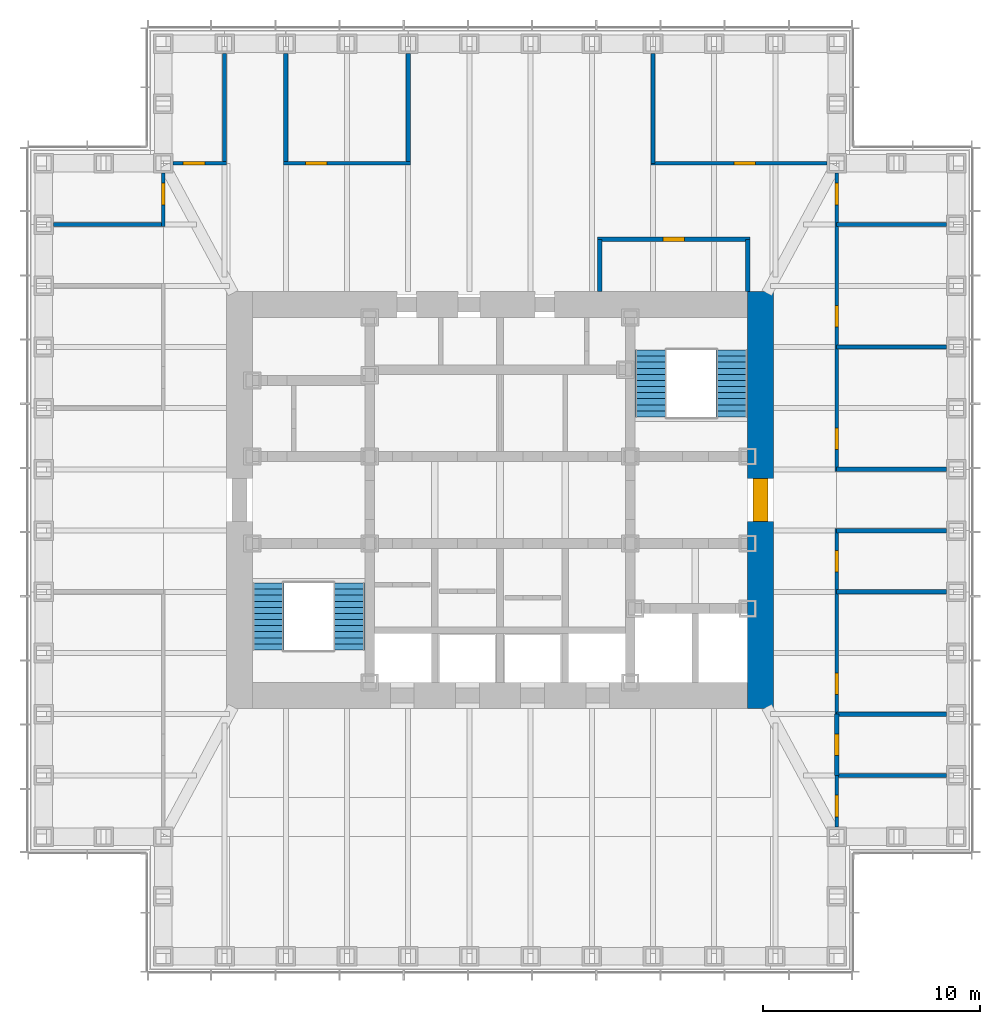
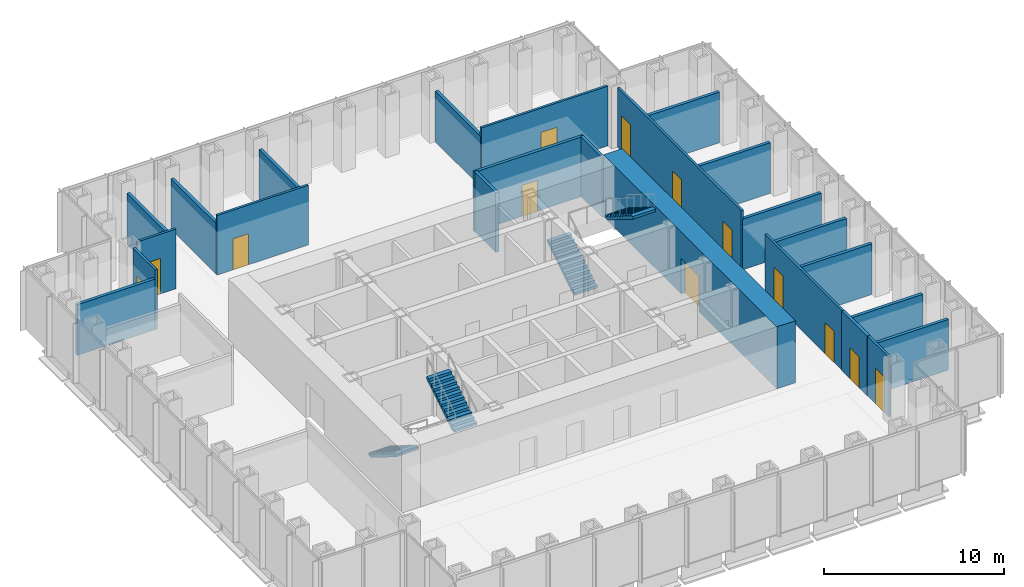
# One storey, part 10 of 16: 24 walls, 13 doors, 4 stair flights, 13 openings, 2 elements without a shape of their own.
"""IFC4 building model written with IfcOpenShell, lengths in metres."""

from ifc_helpers import new_model, si_unit, direction, frame, frame_2d, origin, place, context, subcontext, project, spatial, polyline, rectangle, outline, extrude, material, layer, layer_set, type_object, element, fill, aggregate, save


model = new_model("IFC4")

# Units and contexts
model_context = context("Model", 3, precision=1e-05, world=origin(), true_north=direction((0.0, 1.0)))
body_context = subcontext(model_context, "Body", "Model", "MODEL_VIEW")
ifc_project = project(units=[si_unit("LENGTHUNIT", "METRE"), si_unit("AREAUNIT", "SQUARE_METRE"), si_unit("VOLUMEUNIT", "CUBIC_METRE"), si_unit("PLANEANGLEUNIT", "RADIAN"), si_unit("MASSUNIT", "GRAM", prefix="KILO")], contexts=[model_context])

# Site, building, storey
site_placement = place(None, origin())
site = spatial("IfcSite", under=ifc_project, at=site_placement, CompositionType="ELEMENT")
building_placement = place(site_placement, origin())
building = spatial("IfcBuilding", under=site, at=building_placement, Name="Daluyong Arena Tower", CompositionType="ELEMENT")
storey_placement = place(building_placement, frame((0.0, 0.0, 206.5)))
storey = spatial("IfcBuildingStorey", under=building, at=storey_placement, Name="L46", CompositionType="ELEMENT", Elevation=206.5)

# Wall, opening, door
ifc_material_1 = material(Name="Concrete fc' 60 MPa", Category="concrete")
ifc_layer_1 = layer(ifc_material_1, 1.199951171875)
ifc_layer_set_1 = layer_set([ifc_layer_1], Name="Concrete fc' 60 MPa")
wall_type_1 = type_object("IfcWallType", Name="Core wall 1200", PredefinedType="SHEAR", material=ifc_layer_set_1)
wall_1_placement = place(storey_placement, frame((68.0, 70.39990234375, 0.0), z_axis=(0.0, 0.0, 1.0), x_axis=(0.0, 1.0, 0.0)))
wall_1 = element("IfcWall", 1, at=wall_1_placement, inside=storey, type_object=wall_type_1, Name="core wall at L46", PredefinedType="SHEAR", context=body_context, shape_type="SweptSolid", body=[
    extrude(rectangle(XDim=19.2001953125, YDim=1.199951171875, at=frame_2d((9.60009765625, 0.0))), origin(), (0.0, 0.0, 1.0), 4.199951171875),
])
opening_1_placement = place(wall_1_placement, frame((8.60009765625, 0.0, 0.0)))
opening_1 = element("IfcOpeningElement", 2, at=opening_1_placement, cuts=wall_1, Name="Opening 46022", PredefinedType="OPENING", context=body_context, shape_type="SweptSolid", body=[
    extrude(rectangle(XDim=2.0, YDim=2.39990234375, at=frame_2d((1.0, 1.199951171875))), frame((0.0, 0.60986328125, 0.0), z_axis=(0.0, -1.0, 0.0), x_axis=(1.0, 0.0, 0.0)), (0.0, 0.0, 1.0), 1.219970703125),
])
ifc_material_2 = material(Name="Steel door, fire rated", Category="steel")
door_type_1 = type_object("IfcDoorType", Name="Core lobby double door 2000", OperationType="DOUBLE_DOOR_SINGLE_SWING", PredefinedType="DOOR", material=ifc_material_2)
door_1_placement = place(opening_1_placement, origin())
door_1 = element("IfcDoor", 3, at=door_1_placement, inside=storey, type_object=door_type_1, Name="core lobby door east 46022", OperationType="DOUBLE_DOOR_SINGLE_SWING", OverallHeight=2.39990234375, OverallWidth=2.0, PredefinedType="DOOR", context=body_context, shape_type="SweptSolid", body=[
    extrude(rectangle(XDim=2.0, YDim=2.39990234375, at=frame_2d((1.0, 1.199951171875))), frame((0.0, 0.35009765625, 0.0), z_axis=(0.0, -1.0, 0.0), x_axis=(1.0, 0.0, 0.0)), (0.0, 0.0, 1.0), 0.699951171875),
])
fill(opening_1, door_1)

ifc_material_3 = material(Name="Glazed aluminium partition", Category="aluminium")
ifc_layer_2 = layer(ifc_material_3, 0.14990234375)
ifc_layer_set_2 = layer_set([ifc_layer_2], Name="Glazed aluminium partition")
wall_type_2 = type_object("IfcWallType", Name="Glazed partition 150", PredefinedType="PARTITIONING", material=ifc_layer_set_2)
wall_2_placement = place(storey_placement, frame((40.949951171875, 95.5, 0.0), z_axis=(0.0, 0.0, 1.0), x_axis=(1.0, 0.0, 0.0)))
wall_2 = element("IfcWall", 4, at=wall_2_placement, inside=storey, type_object=wall_type_2, Name="glazed partition at L46", PredefinedType="PARTITIONING", context=body_context, shape_type="SweptSolid", body=[
    extrude(rectangle(XDim=2.46826171875, YDim=0.14990234375, at=frame_2d((1.234130859375, 0.0))), origin(), (0.0, 0.0, 1.0), 4.0400390625),
])
opening_2_placement = place(wall_2_placement, frame((0.458984375, 0.0, 0.0)))
opening_2 = element("IfcOpeningElement", 5, at=opening_2_placement, cuts=wall_2, Name="Opening 46039", PredefinedType="OPENING", context=body_context, shape_type="SweptSolid", body=[
    extrude(rectangle(XDim=1.0, YDim=2.39990234375, at=frame_2d((0.5, 1.199951171875))), frame((0.0, 0.0849609375, 0.0), z_axis=(0.0, -1.0, 0.0), x_axis=(1.0, 0.0, 0.0)), (0.0, 0.0, 1.0), 0.169921875),
])
ifc_material_4 = material(Name="Glazed aluminium door", Category="aluminium")
door_type_2 = type_object("IfcDoorType", Name="Meeting room glazed door 1000", OperationType="SINGLE_SWING_RIGHT", PredefinedType="DOOR", material=ifc_material_4)
door_2_placement = place(opening_2_placement, origin())
door_2 = element("IfcDoor", 6, at=door_2_placement, inside=storey, type_object=door_type_2, Name="focus room door 46039", OperationType="SINGLE_SWING_RIGHT", OverallHeight=2.39990234375, OverallWidth=1.0, PredefinedType="DOOR", context=body_context, shape_type="SweptSolid", body=[
    extrude(rectangle(XDim=1.0, YDim=2.39990234375, at=frame_2d((0.5, 1.199951171875))), frame((0.0, 0.07470703125, 0.0), z_axis=(0.0, -1.0, 0.0), x_axis=(1.0, 0.0, 0.0)), (0.0, 0.0, 1.0), 0.1494140625),
])
fill(opening_2, door_2)

wall_3_placement = place(storey_placement, frame((46.036376953125, 95.5, 0.0), z_axis=(0.0, 0.0, 1.0), x_axis=(1.0, 0.0, 0.0)))
wall_3 = element("IfcWall", 7, at=wall_3_placement, inside=storey, type_object=wall_type_2, Name="glazed partition at L46", PredefinedType="PARTITIONING", context=body_context, shape_type="SweptSolid", body=[
    extrude(rectangle(XDim=5.83642578125, YDim=0.14990234375, at=frame_2d((2.918212890625, 0.0))), origin(), (0.0, 0.0, 1.0), 4.0400390625),
])
opening_3_placement = place(wall_3_placement, frame((1.009033203125, 0.0, 0.0)))
opening_3 = element("IfcOpeningElement", 8, at=opening_3_placement, cuts=wall_3, Name="Opening 46040", PredefinedType="OPENING", context=body_context, shape_type="SweptSolid", body=[
    extrude(rectangle(XDim=1.0, YDim=2.10009765625, at=frame_2d((0.5, 1.050048828125))), frame((0.0, 0.0849609375, 0.0), z_axis=(0.0, -1.0, 0.0), x_axis=(1.0, 0.0, 0.0)), (0.0, 0.0, 1.0), 0.169921875),
])
ifc_material_5 = material(Name="Timber door", Category="wood")
door_type_3 = type_object("IfcDoorType", Name="Room door 1000", OperationType="SINGLE_SWING_LEFT", PredefinedType="DOOR", material=ifc_material_5)
door_3_placement = place(opening_3_placement, origin())
door_3 = element("IfcDoor", 9, at=door_3_placement, inside=storey, type_object=door_type_3, Name="executive office door 46040", OperationType="SINGLE_SWING_LEFT", OverallHeight=2.10009765625, OverallWidth=1.0, PredefinedType="DOOR", context=body_context, shape_type="SweptSolid", body=[
    extrude(rectangle(XDim=1.0, YDim=2.10009765625, at=frame_2d((0.5, 1.050048828125))), frame((0.0, 0.07470703125, 0.0), z_axis=(0.0, -1.0, 0.0), x_axis=(1.0, 0.0, 0.0)), (0.0, 0.0, 1.0), 0.1494140625),
])
fill(opening_3, door_3)

wall_4_placement = place(storey_placement, frame((62.945556640625, 95.5, 0.0), z_axis=(0.0, 0.0, 1.0), x_axis=(1.0, 0.0, 0.0)))
wall_4 = element("IfcWall", 10, at=wall_4_placement, inside=storey, type_object=wall_type_2, Name="glazed partition at L46", PredefinedType="PARTITIONING", context=body_context, shape_type="SweptSolid", body=[
    extrude(rectangle(XDim=8.1044921875, YDim=0.14990234375, at=frame_2d((4.05224609375, 0.0))), origin(), (0.0, 0.0, 1.0), 4.0400390625),
])
opening_4_placement = place(wall_4_placement, frame((3.827392578125, 0.0, 0.0)))
opening_4 = element("IfcOpeningElement", 11, at=opening_4_placement, cuts=wall_4, Name="Opening 46041", PredefinedType="OPENING", context=body_context, shape_type="SweptSolid", body=[
    extrude(rectangle(XDim=1.0, YDim=2.39990234375, at=frame_2d((0.5, 1.199951171875))), frame((0.0, 0.0849609375, 0.0), z_axis=(0.0, -1.0, 0.0), x_axis=(1.0, 0.0, 0.0)), (0.0, 0.0, 1.0), 0.169921875),
])
door_4_placement = place(opening_4_placement, origin())
door_4 = element("IfcDoor", 12, at=door_4_placement, inside=storey, type_object=door_type_2, Name="meeting room door 46041", OperationType="SINGLE_SWING_RIGHT", OverallHeight=2.39990234375, OverallWidth=1.0, PredefinedType="DOOR", context=body_context, shape_type="SweptSolid", body=[
    extrude(rectangle(XDim=1.0, YDim=2.39990234375, at=frame_2d((0.5, 1.199951171875))), frame((0.0, 0.07470703125, 0.0), z_axis=(0.0, -1.0, 0.0), x_axis=(1.0, 0.0, 0.0)), (0.0, 0.0, 1.0), 0.1494140625),
])
fill(opening_4, door_4)

wall_5_placement = place(storey_placement, frame((40.5, 92.581787109375, 0.0), z_axis=(0.0, 0.0, 1.0), x_axis=(0.0, 1.0, 0.0)))
wall_5 = element("IfcWall", 13, at=wall_5_placement, inside=storey, type_object=wall_type_2, Name="glazed partition at L46", PredefinedType="PARTITIONING", context=body_context, shape_type="SweptSolid", body=[
    extrude(rectangle(XDim=2.46826171875, YDim=0.14990234375, at=frame_2d((1.234130859375, 0.0))), origin(), (0.0, 0.0, 1.0), 4.0400390625),
])
opening_5_placement = place(wall_5_placement, frame((1.009033203125, 0.0, 0.0)))
opening_5 = element("IfcOpeningElement", 14, at=opening_5_placement, cuts=wall_5, Name="Opening 46044", PredefinedType="OPENING", context=body_context, shape_type="SweptSolid", body=[
    extrude(rectangle(XDim=1.0, YDim=2.39990234375, at=frame_2d((0.5, 1.199951171875))), frame((0.0, 0.0849609375, 0.0), z_axis=(0.0, -1.0, 0.0), x_axis=(1.0, 0.0, 0.0)), (0.0, 0.0, 1.0), 0.169921875),
])
door_5_placement = place(opening_5_placement, origin())
door_5 = element("IfcDoor", 15, at=door_5_placement, inside=storey, type_object=door_type_2, Name="focus room door 46044", OperationType="SINGLE_SWING_RIGHT", OverallHeight=2.39990234375, OverallWidth=1.0, PredefinedType="DOOR", context=body_context, shape_type="SweptSolid", body=[
    extrude(rectangle(XDim=1.0, YDim=2.39990234375, at=frame_2d((0.5, 1.199951171875))), frame((0.0, 0.07470703125, 0.0), z_axis=(0.0, -1.0, 0.0), x_axis=(1.0, 0.0, 0.0)), (0.0, 0.0, 1.0), 0.1494140625),
])
fill(opening_5, door_5)

wall_6_placement = place(storey_placement, frame((71.5, 64.949951171875, 0.0), z_axis=(0.0, 0.0, 1.0), x_axis=(0.0, 1.0, 0.0)))
wall_6 = element("IfcWall", 16, at=wall_6_placement, inside=storey, type_object=wall_type_2, Name="glazed partition at L46", PredefinedType="PARTITIONING", context=body_context, shape_type="SweptSolid", body=[
    extrude(rectangle(XDim=2.3681640625, YDim=0.14990234375, at=frame_2d((1.18408203125, 0.0))), origin(), (0.0, 0.0, 1.0), 4.0400390625),
])
opening_6_placement = place(wall_6_placement, frame((0.458984375, 0.0, 0.0)))
opening_6 = element("IfcOpeningElement", 17, at=opening_6_placement, cuts=wall_6, Name="Opening 46032", PredefinedType="OPENING", context=body_context, shape_type="SweptSolid", body=[
    extrude(rectangle(XDim=1.0, YDim=2.39990234375, at=frame_2d((0.5, 1.199951171875))), frame((0.0, 0.0849609375, 0.0), z_axis=(0.0, -1.0, 0.0), x_axis=(1.0, 0.0, 0.0)), (0.0, 0.0, 1.0), 0.169921875),
])
door_6_placement = place(opening_6_placement, origin())
door_6 = element("IfcDoor", 18, at=door_6_placement, inside=storey, type_object=door_type_2, Name="focus room door 46032", OperationType="SINGLE_SWING_RIGHT", OverallHeight=2.39990234375, OverallWidth=1.0, PredefinedType="DOOR", context=body_context, shape_type="SweptSolid", body=[
    extrude(rectangle(XDim=1.0, YDim=2.39990234375, at=frame_2d((0.5, 1.199951171875))), frame((0.0, 0.07470703125, 0.0), z_axis=(0.0, -1.0, 0.0), x_axis=(1.0, 0.0, 0.0)), (0.0, 0.0, 1.0), 0.1494140625),
])
fill(opening_6, door_6)

# Wall, openings, doors
wall_7_placement = place(storey_placement, frame((71.5, 70.136474609375, 0.0), z_axis=(0.0, 0.0, 1.0), x_axis=(0.0, 1.0, 0.0)))
wall_7 = element("IfcWall", 19, at=wall_7_placement, inside=storey, type_object=wall_type_2, Name="glazed partition at L46", PredefinedType="PARTITIONING", context=body_context, shape_type="SweptSolid", body=[
    extrude(rectangle(XDim=8.554443359375, YDim=0.14990234375, at=frame_2d((4.27734375, 0.0))), origin(), (0.0, 0.0, 1.0), 4.0400390625),
])
opening_7_placement = place(wall_7_placement, frame((0.9091796875, 0.0, 0.0)))
opening_7 = element("IfcOpeningElement", 20, at=opening_7_placement, cuts=wall_7, Name="Opening 46034", PredefinedType="OPENING", context=body_context, shape_type="SweptSolid", body=[
    extrude(rectangle(XDim=1.0, YDim=2.10009765625, at=frame_2d((0.5, 1.050048828125))), frame((0.0, 0.0849609375, 0.0), z_axis=(0.0, -1.0, 0.0), x_axis=(1.0, 0.0, 0.0)), (0.0, 0.0, 1.0), 0.169921875),
])
opening_8_placement = place(wall_7_placement, frame((6.54541015625, 0.0, 0.0)))
opening_8 = element("IfcOpeningElement", 21, at=opening_8_placement, cuts=wall_7, Name="Opening 46035", PredefinedType="OPENING", context=body_context, shape_type="SweptSolid", body=[
    extrude(rectangle(XDim=1.0, YDim=2.39990234375, at=frame_2d((0.5, 1.199951171875))), frame((0.0, 0.0849609375, 0.0), z_axis=(0.0, -1.0, 0.0), x_axis=(1.0, 0.0, 0.0)), (0.0, 0.0, 1.0), 0.169921875),
])
door_7_placement = place(opening_8_placement, origin())
door_7 = element("IfcDoor", 22, at=door_7_placement, inside=storey, type_object=door_type_2, Name="focus room door 46035", OperationType="SINGLE_SWING_RIGHT", OverallHeight=2.39990234375, OverallWidth=1.0, PredefinedType="DOOR", context=body_context, shape_type="SweptSolid", body=[
    extrude(rectangle(XDim=1.0, YDim=2.39990234375, at=frame_2d((0.5, 1.199951171875))), frame((0.0, 0.07470703125, 0.0), z_axis=(0.0, -1.0, 0.0), x_axis=(1.0, 0.0, 0.0)), (0.0, 0.0, 1.0), 0.1494140625),
])
fill(opening_8, door_7)
door_8_placement = place(opening_7_placement, origin())
door_8 = element("IfcDoor", 23, at=door_8_placement, inside=storey, type_object=door_type_3, Name="office door 46034", OperationType="SINGLE_SWING_LEFT", OverallHeight=2.10009765625, OverallWidth=1.0, PredefinedType="DOOR", context=body_context, shape_type="SweptSolid", body=[
    extrude(rectangle(XDim=1.0, YDim=2.10009765625, at=frame_2d((0.5, 1.050048828125))), frame((0.0, 0.07470703125, 0.0), z_axis=(0.0, -1.0, 0.0), x_axis=(1.0, 0.0, 0.0)), (0.0, 0.0, 1.0), 0.1494140625),
])
fill(opening_7, door_8)

wall_8_placement = place(storey_placement, frame((71.5, 81.30908203125, 0.0), z_axis=(0.0, 0.0, 1.0), x_axis=(0.0, 1.0, 0.0)))
wall_8 = element("IfcWall", 24, at=wall_8_placement, inside=storey, type_object=wall_type_2, Name="glazed partition at L46", PredefinedType="PARTITIONING", context=body_context, shape_type="SweptSolid", body=[
    extrude(rectangle(XDim=13.740966796875, YDim=0.14990234375, at=frame_2d((6.87060546875, 0.0))), origin(), (0.0, 0.0, 1.0), 4.0400390625),
])
opening_9_placement = place(wall_8_placement, frame((1.009033203125, 0.0, 0.0)))
opening_9 = element("IfcOpeningElement", 25, at=opening_9_placement, cuts=wall_8, Name="Opening 46036", PredefinedType="OPENING", context=body_context, shape_type="SweptSolid", body=[
    extrude(rectangle(XDim=1.0, YDim=2.10009765625, at=frame_2d((0.5, 1.050048828125))), frame((0.0, 0.0849609375, 0.0), z_axis=(0.0, -1.0, 0.0), x_axis=(1.0, 0.0, 0.0)), (0.0, 0.0, 1.0), 0.169921875),
])
opening_10_placement = place(wall_8_placement, frame((6.6455078125, 0.0, 0.0)))
opening_10 = element("IfcOpeningElement", 26, at=opening_10_placement, cuts=wall_8, Name="Opening 46037", PredefinedType="OPENING", context=body_context, shape_type="SweptSolid", body=[
    extrude(rectangle(XDim=1.0, YDim=2.10009765625, at=frame_2d((0.5, 1.050048828125))), frame((0.0, 0.0849609375, 0.0), z_axis=(0.0, -1.0, 0.0), x_axis=(1.0, 0.0, 0.0)), (0.0, 0.0, 1.0), 0.169921875),
])
opening_11_placement = place(wall_8_placement, frame((12.28173828125, 0.0, 0.0)))
opening_11 = element("IfcOpeningElement", 27, at=opening_11_placement, cuts=wall_8, Name="Opening 46038", PredefinedType="OPENING", context=body_context, shape_type="SweptSolid", body=[
    extrude(rectangle(XDim=1.0, YDim=2.39990234375, at=frame_2d((0.5, 1.199951171875))), frame((0.0, 0.0849609375, 0.0), z_axis=(0.0, -1.0, 0.0), x_axis=(1.0, 0.0, 0.0)), (0.0, 0.0, 1.0), 0.169921875),
])
door_9_placement = place(opening_11_placement, origin())
door_9 = element("IfcDoor", 28, at=door_9_placement, inside=storey, type_object=door_type_2, Name="focus room door 46038", OperationType="SINGLE_SWING_RIGHT", OverallHeight=2.39990234375, OverallWidth=1.0, PredefinedType="DOOR", context=body_context, shape_type="SweptSolid", body=[
    extrude(rectangle(XDim=1.0, YDim=2.39990234375, at=frame_2d((0.5, 1.199951171875))), frame((0.0, 0.07470703125, 0.0), z_axis=(0.0, -1.0, 0.0), x_axis=(1.0, 0.0, 0.0)), (0.0, 0.0, 1.0), 0.1494140625),
])
fill(opening_11, door_9)
door_10_placement = place(opening_9_placement, origin())
door_10 = element("IfcDoor", 29, at=door_10_placement, inside=storey, type_object=door_type_3, Name="office door 46036", OperationType="SINGLE_SWING_LEFT", OverallHeight=2.10009765625, OverallWidth=1.0, PredefinedType="DOOR", context=body_context, shape_type="SweptSolid", body=[
    extrude(rectangle(XDim=1.0, YDim=2.10009765625, at=frame_2d((0.5, 1.050048828125))), frame((0.0, 0.07470703125, 0.0), z_axis=(0.0, -1.0, 0.0), x_axis=(1.0, 0.0, 0.0)), (0.0, 0.0, 1.0), 0.1494140625),
])
fill(opening_9, door_10)
door_11_placement = place(opening_10_placement, origin())
door_11 = element("IfcDoor", 30, at=door_11_placement, inside=storey, type_object=door_type_3, Name="office door 46037", OperationType="SINGLE_SWING_LEFT", OverallHeight=2.10009765625, OverallWidth=1.0, PredefinedType="DOOR", context=body_context, shape_type="SweptSolid", body=[
    extrude(rectangle(XDim=1.0, YDim=2.10009765625, at=frame_2d((0.5, 1.050048828125))), frame((0.0, 0.07470703125, 0.0), z_axis=(0.0, -1.0, 0.0), x_axis=(1.0, 0.0, 0.0)), (0.0, 0.0, 1.0), 0.1494140625),
])
fill(opening_10, door_11)

# Walls
ifc_material_6 = material(Name="Concrete block partition", Category="concrete")
ifc_layer_3 = layer(ifc_material_6, 0.199951171875)
ifc_layer_set_3 = layer_set([ifc_layer_3], Name="Concrete block partition")
wall_type_3 = type_object("IfcWallType", Name="Partition 200", PredefinedType="PARTITIONING", material=ifc_layer_set_3)
for number, where, z_axis, x_axis, name in (
    (31, (71.5, 67.318115234375, 0.0), (0.0, 0.0, 1.0), (1.0, 0.0, 0.0), "partition at L46"),
    (32, (71.5, 70.136474609375, 0.0), (0.0, 0.0, 1.0), (1.0, 0.0, 0.0), "partition at L46"),
    (33, (71.5, 75.772705078125, 0.0), (0.0, 0.0, 1.0), (1.0, 0.0, 0.0), "partition at L46"),
    (34, (71.5, 78.5908203125, 0.0), (0.0, 0.0, 1.0), (1.0, 0.0, 0.0), "partition at L46"),
    (35, (71.5, 81.4091796875, 0.0), (0.0, 0.0, 1.0), (1.0, 0.0, 0.0), "partition at L46"),
    (36, (71.5, 87.04541015625, 0.0), (0.0, 0.0, 1.0), (1.0, 0.0, 0.0), "partition at L46"),
    (37, (71.5, 92.681884765625, 0.0), (0.0, 0.0, 1.0), (1.0, 0.0, 0.0), "partition at L46"),
    (38, (43.318115234375, 95.5, 0.0), (0.0, 0.0, 1.0), (0.0, 1.0, 0.0), "partition at L46"),
    (39, (46.136474609375, 95.5, 0.0), (0.0, 0.0, 1.0), (0.0, 1.0, 0.0), "partition at L46"),
    (40, (51.772705078125, 95.5, 0.0), (0.0, 0.0, 1.0), (0.0, 1.0, 0.0), "partition at L46"),
    (41, (63.04541015625, 95.5, 0.0), (0.0, 0.0, 1.0), (0.0, 1.0, 0.0), "partition at L46"),
    (42, (35.449951171875, 92.681884765625, 0.0), (0.0, 0.0, 1.0), (1.0, 0.0, 0.0), "partition at L46"),
):
    element("IfcWall", number, at=place(storey_placement, frame(where, z_axis=z_axis, x_axis=x_axis)), inside=storey, type_object=wall_type_3, Name=name, PredefinedType="PARTITIONING", context=body_context, shape_type="SweptSolid", body=[
        extrude(rectangle(XDim=5.050048828125, YDim=0.199951171875, at=frame_2d((2.52490234375, 0.0))), origin(), (0.0, 0.0, 1.0), 3.427978515625),
    ])
for number, where, z_axis, x_axis, name in (
    (43, (60.60009765625, 89.60009765625, 0.0), (0.0, 0.0, 1.0), (0.0, 1.0, 0.0), "partition at L46"),
    (44, (67.39990234375, 89.60009765625, 0.0), (0.0, 0.0, 1.0), (0.0, 1.0, 0.0), "partition at L46"),
):
    element("IfcWall", number, at=place(storey_placement, frame(where, z_axis=z_axis, x_axis=x_axis)), inside=storey, type_object=wall_type_3, Name=name, PredefinedType="PARTITIONING", context=body_context, shape_type="SweptSolid", body=[
        extrude(rectangle(XDim=2.39990234375, YDim=0.199951171875, at=frame_2d((1.199951171875, 0.0))), origin(), (0.0, 0.0, 1.0), 4.0400390625),
    ])

# Wall, opening, door
wall_9_placement = place(storey_placement, frame((60.5, 92.0, 0.0), z_axis=(0.0, 0.0, 1.0), x_axis=(1.0, 0.0, 0.0)))
wall_9 = element("IfcWall", 45, at=wall_9_placement, inside=storey, type_object=wall_type_3, Name="partition at L46", PredefinedType="PARTITIONING", context=body_context, shape_type="SweptSolid", body=[
    extrude(rectangle(XDim=7.0, YDim=0.199951171875, at=frame_2d((3.5, 0.0))), origin(), (0.0, 0.0, 1.0), 4.0400390625),
])
opening_12_placement = place(wall_9_placement, frame((3.0, 0.0, 0.0)))
opening_12 = element("IfcOpeningElement", 46, at=opening_12_placement, cuts=wall_9, Name="Opening 46045", PredefinedType="OPENING", context=body_context, shape_type="SweptSolid", body=[
    extrude(rectangle(XDim=1.0, YDim=2.10009765625, at=frame_2d((0.5, 1.050048828125))), frame((0.0, 0.10986328125, 0.0), z_axis=(0.0, -1.0, 0.0), x_axis=(1.0, 0.0, 0.0)), (0.0, 0.0, 1.0), 0.219970703125),
])
door_12_placement = place(opening_12_placement, origin())
door_12 = element("IfcDoor", 47, at=door_12_placement, inside=storey, type_object=door_type_3, Name="project room door 46045", OperationType="SINGLE_SWING_LEFT", OverallHeight=2.10009765625, OverallWidth=1.0, PredefinedType="DOOR", context=body_context, shape_type="SweptSolid", body=[
    extrude(rectangle(XDim=1.0, YDim=2.10009765625, at=frame_2d((0.5, 1.050048828125))), frame((0.0, 0.099609375, 0.0), z_axis=(0.0, -1.0, 0.0), x_axis=(1.0, 0.0, 0.0)), (0.0, 0.0, 1.0), 0.199462890625),
])
fill(opening_12, door_12)

wall_10_placement = place(storey_placement, frame((71.5, 67.318115234375, 0.0), z_axis=(0.0, 0.0, 1.0), x_axis=(0.0, 1.0, 0.0)))
wall_10 = element("IfcWall", 48, at=wall_10_placement, inside=storey, type_object=wall_type_3, Name="partition at L46", PredefinedType="PARTITIONING", context=body_context, shape_type="SweptSolid", body=[
    extrude(rectangle(XDim=2.818359375, YDim=0.199951171875, at=frame_2d((1.4091796875, 0.0))), origin(), (0.0, 0.0, 1.0), 4.0400390625),
])
opening_13_placement = place(wall_10_placement, frame((0.9091796875, 0.0, 0.0)))
opening_13 = element("IfcOpeningElement", 49, at=opening_13_placement, cuts=wall_10, Name="Opening 46033", PredefinedType="OPENING", context=body_context, shape_type="SweptSolid", body=[
    extrude(rectangle(XDim=1.0, YDim=2.10009765625, at=frame_2d((0.5, 1.050048828125))), frame((0.0, 0.10986328125, 0.0), z_axis=(0.0, -1.0, 0.0), x_axis=(1.0, 0.0, 0.0)), (0.0, 0.0, 1.0), 0.219970703125),
])
door_13_placement = place(opening_13_placement, origin())
door_13 = element("IfcDoor", 50, at=door_13_placement, inside=storey, type_object=door_type_3, Name="copy room door 46033", OperationType="SINGLE_SWING_LEFT", OverallHeight=2.10009765625, OverallWidth=1.0, PredefinedType="DOOR", context=body_context, shape_type="SweptSolid", body=[
    extrude(rectangle(XDim=1.0, YDim=2.10009765625, at=frame_2d((0.5, 1.050048828125))), frame((0.0, 0.099609375, 0.0), z_axis=(0.0, -1.0, 0.0), x_axis=(1.0, 0.0, 0.0)), (0.0, 0.0, 1.0), 0.199462890625),
])
fill(opening_13, door_13)

# Stair, stair flights
ifc_material_7 = material(Name="Concrete fc' 35 MPa", Category="concrete")
stair_type = type_object("IfcStairType", Name="Core exit stair", PredefinedType="HALF_TURN_STAIR", material=ifc_material_7)
stair_1_placement = place(storey_placement, origin())
stair_1 = element("IfcStair", 51, at=stair_1_placement, inside=storey, type_object=stair_type, Name="exit stair A L46", PredefinedType="HALF_TURN_STAIR")
ifc_material_8 = material(Name="Concrete fc' 35 MPa", Category="concrete")
stair_flight_type = type_object("IfcStairFlightType", Name="Core stair flight", PredefinedType="STRAIGHT", material=ifc_material_8)
stair_flight_1_placement = place(storey_placement, frame((45.324951171875, 76.175048828125, 0.0), z_axis=(0.0, 0.0, 1.0), x_axis=(0.0, -1.0, 0.0)))
stair_flight_1 = element("IfcStairFlight", 52, at=stair_flight_1_placement, type_object=stair_flight_type, Name="STA flight 1", NumberOfRisers=12, NumberOfTreads=11, PredefinedType="STRAIGHT", RiserHeight=0.175, TreadLength=0.28, context=body_context, shape_type="SweptSolid", body=[
    extrude(outline(polyline([(0.0, 0.0), (0.0, 0.175048828125), (0.280029296875, 0.175048828125), (0.280029296875, 0.35009765625), (0.56005859375, 0.35009765625), (0.56005859375, 0.52490234375), (0.840087890625, 0.52490234375), (0.840087890625, 0.699951171875), (1.1201171875, 0.699951171875), (1.1201171875, 0.875), (1.39990234375, 0.875), (1.39990234375, 1.050048828125), (1.679931640625, 1.050048828125), (1.679931640625, 1.22509765625), (1.9599609375, 1.22509765625), (1.9599609375, 1.39990234375), (2.239990234375, 1.39990234375), (2.239990234375, 1.574951171875), (2.52001953125, 1.574951171875), (2.52001953125, 1.75), (2.800048828125, 1.75), (2.800048828125, 1.925048828125), (3.080078125, 1.925048828125), (3.080078125, 2.10009765625), (3.080078125, 1.748291015625), (0.28271484375, 0.0), (0.0, 0.0)])), frame((0.0, 0.72509765625, 0.0), z_axis=(0.0, -1.0, 0.0), x_axis=(1.0, 0.0, 0.0)), (0.0, 0.0, 1.0), 1.449951171875),
])
stair_flight_2_placement = place(storey_placement, frame((49.050048828125, 73.094970703125, 2.10009765625), z_axis=(0.0, 0.0, 1.0), x_axis=(0.0, 1.0, 0.0)))
stair_flight_2 = element("IfcStairFlight", 53, at=stair_flight_2_placement, type_object=stair_flight_type, Name="STA flight 2", NumberOfRisers=12, NumberOfTreads=11, PredefinedType="STRAIGHT", RiserHeight=0.175, TreadLength=0.28, context=body_context, shape_type="SweptSolid", body=[
    extrude(outline(polyline([(0.0, 0.0), (0.0, 0.175048828125), (0.280029296875, 0.175048828125), (0.280029296875, 0.35009765625), (0.56005859375, 0.35009765625), (0.56005859375, 0.52490234375), (0.840087890625, 0.52490234375), (0.840087890625, 0.699951171875), (1.1201171875, 0.699951171875), (1.1201171875, 0.875), (1.39990234375, 0.875), (1.39990234375, 1.050048828125), (1.679931640625, 1.050048828125), (1.679931640625, 1.22509765625), (1.9599609375, 1.22509765625), (1.9599609375, 1.39990234375), (2.239990234375, 1.39990234375), (2.239990234375, 1.574951171875), (2.52001953125, 1.574951171875), (2.52001953125, 1.75), (2.800048828125, 1.75), (2.800048828125, 1.925048828125), (3.080078125, 1.925048828125), (3.080078125, 2.10009765625), (3.080078125, 1.748291015625), (0.28271484375, 0.0), (0.0, 0.0)])), frame((0.0, 0.72509765625, 0.0), z_axis=(0.0, -1.0, 0.0), x_axis=(1.0, 0.0, 0.0)), (0.0, 0.0, 1.0), 1.449951171875),
])
aggregate(stair_1, [stair_flight_1, stair_flight_2])

stair_2_placement = place(storey_placement, origin())
stair_2 = element("IfcStair", 54, at=stair_2_placement, inside=storey, type_object=stair_type, Name="exit stair B L46", PredefinedType="HALF_TURN_STAIR")
stair_flight_3_placement = place(storey_placement, frame((62.949951171875, 83.824951171875, 0.0), z_axis=(0.0, 0.0, 1.0), x_axis=(0.0, 1.0, 0.0)))
stair_flight_3 = element("IfcStairFlight", 55, at=stair_flight_3_placement, type_object=stair_flight_type, Name="STB flight 1", NumberOfRisers=12, NumberOfTreads=11, PredefinedType="STRAIGHT", RiserHeight=0.175, TreadLength=0.28, context=body_context, shape_type="SweptSolid", body=[
    extrude(outline(polyline([(0.0, 0.0), (0.0, 0.175048828125), (0.280029296875, 0.175048828125), (0.280029296875, 0.35009765625), (0.56005859375, 0.35009765625), (0.56005859375, 0.52490234375), (0.840087890625, 0.52490234375), (0.840087890625, 0.699951171875), (1.1201171875, 0.699951171875), (1.1201171875, 0.875), (1.39990234375, 0.875), (1.39990234375, 1.050048828125), (1.679931640625, 1.050048828125), (1.679931640625, 1.22509765625), (1.9599609375, 1.22509765625), (1.9599609375, 1.39990234375), (2.239990234375, 1.39990234375), (2.239990234375, 1.574951171875), (2.52001953125, 1.574951171875), (2.52001953125, 1.75), (2.800048828125, 1.75), (2.800048828125, 1.925048828125), (3.080078125, 1.925048828125), (3.080078125, 2.10009765625), (3.080078125, 1.748291015625), (0.28271484375, 0.0), (0.0, 0.0)])), frame((0.0, 0.72509765625, 0.0), z_axis=(0.0, -1.0, 0.0), x_axis=(1.0, 0.0, 0.0)), (0.0, 0.0, 1.0), 1.449951171875),
])
stair_flight_4_placement = place(storey_placement, frame((66.675048828125, 86.905029296875, 2.10009765625), z_axis=(0.0, 0.0, 1.0), x_axis=(0.0, -1.0, 0.0)))
stair_flight_4 = element("IfcStairFlight", 56, at=stair_flight_4_placement, type_object=stair_flight_type, Name="STB flight 2", NumberOfRisers=12, NumberOfTreads=11, PredefinedType="STRAIGHT", RiserHeight=0.175, TreadLength=0.28, context=body_context, shape_type="SweptSolid", body=[
    extrude(outline(polyline([(0.0, 0.0), (0.0, 0.175048828125), (0.280029296875, 0.175048828125), (0.280029296875, 0.35009765625), (0.56005859375, 0.35009765625), (0.56005859375, 0.52490234375), (0.840087890625, 0.52490234375), (0.840087890625, 0.699951171875), (1.1201171875, 0.699951171875), (1.1201171875, 0.875), (1.39990234375, 0.875), (1.39990234375, 1.050048828125), (1.679931640625, 1.050048828125), (1.679931640625, 1.22509765625), (1.9599609375, 1.22509765625), (1.9599609375, 1.39990234375), (2.239990234375, 1.39990234375), (2.239990234375, 1.574951171875), (2.52001953125, 1.574951171875), (2.52001953125, 1.75), (2.800048828125, 1.75), (2.800048828125, 1.925048828125), (3.080078125, 1.925048828125), (3.080078125, 2.10009765625), (3.080078125, 1.748291015625), (0.28271484375, 0.0), (0.0, 0.0)])), frame((0.0, 0.72509765625, 0.0), z_axis=(0.0, -1.0, 0.0), x_axis=(1.0, 0.0, 0.0)), (0.0, 0.0, 1.0), 1.449951171875),
])
aggregate(stair_2, [stair_flight_3, stair_flight_4])

save(model, "model.ifc")
